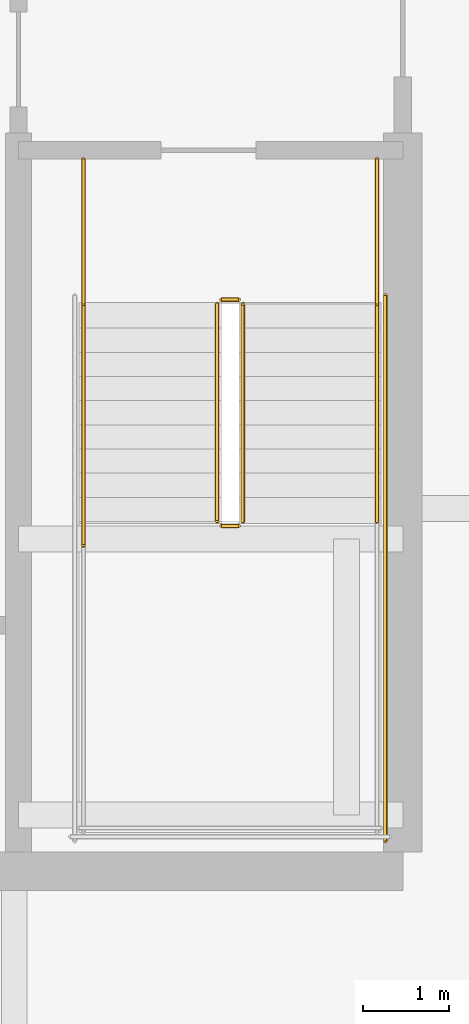
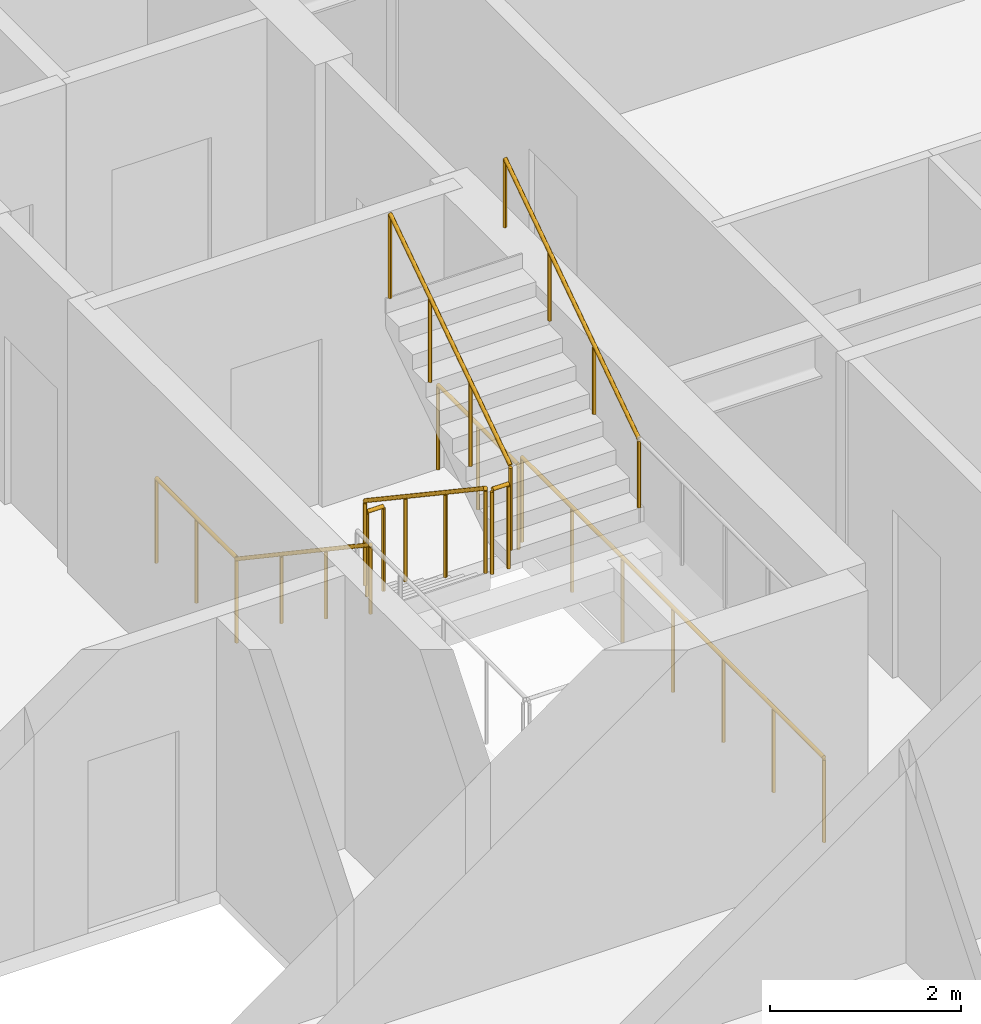
# One storey, part 37 of 40: 9 railings.
"""IFC4 building model written with IfcOpenShell, lengths in metres."""

from ifc_helpers import new_model, si_unit, direction, frame, origin, origin_2d, place, context, subcontext, project, spatial, circle, extrude, material, type_object, element, save


model = new_model("IFC4")

# Units and contexts
model_context = context("Model", 3, precision=1e-05, world=origin(), true_north=direction((0.0, 1.0)))
body_context = subcontext(model_context, "Body", "Model", "MODEL_VIEW")
ifc_project = project(units=[si_unit("LENGTHUNIT", "METRE"), si_unit("AREAUNIT", "SQUARE_METRE"), si_unit("VOLUMEUNIT", "CUBIC_METRE"), si_unit("PLANEANGLEUNIT", "RADIAN"), si_unit("MASSUNIT", "GRAM", prefix="KILO")], contexts=[model_context])

# Site, building, storey
site_placement = place(None, origin())
site = spatial("IfcSite", under=ifc_project, at=site_placement, CompositionType="ELEMENT")
building_placement = place(site_placement, origin())
building = spatial("IfcBuilding", under=site, at=building_placement, Name="Serunith Strait Residences", CompositionType="ELEMENT")
storey_placement = place(building_placement, frame((0.0, 0.0, 90.449951171875)))
storey = spatial("IfcBuildingStorey", under=building, at=storey_placement, Name="L22", CompositionType="ELEMENT", Elevation=90.449951171875)

# Railings
ifc_material = material(Name="Brushed stainless steel 316L", Category="steel")
railing_type_1 = type_object("IfcRailingType", Name="RLG-STAIR-GUARD", PredefinedType="BALUSTRADE", material=ifc_material)
railing_1_placement = place(storey_placement, frame((39.25, 23.3701171875, 0.1875)))
element("IfcRailing", 1, at=railing_1_placement, inside=storey, type_object=railing_type_1, Name="L22 ST-2 stair guard 1", PredefinedType="BALUSTRADE", context=body_context, shape_type="SweptSolid", body=[
    extrude(circle(Radius=0.02392578125, at=origin_2d()), frame((0.0, -0.001708984375, 1.0771484375), z_axis=(0.0, -0.830909170722, 0.55640807867), x_axis=(1.0, 0.0, 0.0)), (0.0, 0.0, 1.0), 3.02880859375),
    extrude(circle(Radius=0.02099609375, at=origin_2d()), origin(), (0.0, 0.0, 1.0), 1.050048828125),
    extrude(circle(Radius=0.02099609375, at=origin_2d()), frame((0.0, -0.840087890625, 0.5625)), (0.0, 0.0, 1.0), 1.050048828125),
    extrude(circle(Radius=0.02099609375, at=origin_2d()), frame((0.0, -1.679931640625, 1.125)), (0.0, 0.0, 1.0), 1.050048828125),
    extrude(circle(Radius=0.02099609375, at=origin_2d()), frame((0.0, -2.52001953125, 1.6875)), (0.0, 0.0, 1.0), 1.050048828125),
])
railing_2_placement = place(storey_placement, frame((39.300048828125, 20.800048828125, 1.875)))
element("IfcRailing", 2, at=railing_2_placement, inside=storey, type_object=railing_type_1, Name="L22 ST-2 stair guard 2", PredefinedType="BALUSTRADE", context=body_context, shape_type="SweptSolid", body=[
    extrude(circle(Radius=0.02392578125, at=origin_2d()), frame((0.001953125, 0.0, 1.076171875), z_axis=(1.0, 0.0, 0.0), x_axis=(0.0, 1.0, 0.0)), (0.0, 0.0, 1.0), 0.196044921875),
    extrude(circle(Radius=0.02099609375, at=origin_2d()), origin(), (0.0, 0.0, 1.0), 1.050048828125),
    extrude(circle(Radius=0.02099609375, at=origin_2d()), frame((0.199951171875, 0.0, 0.0)), (0.0, 0.0, 1.0), 1.050048828125),
])
railing_3_placement = place(storey_placement, frame((39.550048828125, 20.85009765625, 2.0625)))
element("IfcRailing", 3, at=railing_3_placement, inside=storey, type_object=railing_type_1, Name="L22 ST-2 stair guard 6", PredefinedType="BALUSTRADE", context=body_context, shape_type="SweptSolid", body=[
    extrude(circle(Radius=0.02392578125, at=origin_2d()), frame((0.0, 0.001708984375, 1.0771484375), z_axis=(0.0, 0.830909170722, 0.55640807867), x_axis=(-1.0, 0.0, 0.0)), (0.0, 0.0, 1.0), 3.02880859375),
    extrude(circle(Radius=0.02099609375, at=origin_2d()), origin(), (0.0, 0.0, 1.0), 1.050048828125),
    extrude(circle(Radius=0.02099609375, at=origin_2d()), frame((0.0, 0.840087890625, 0.5625)), (0.0, 0.0, 1.0), 1.050048828125),
    extrude(circle(Radius=0.02099609375, at=origin_2d()), frame((0.0, 1.679931640625, 1.125)), (0.0, 0.0, 1.0), 1.050048828125),
    extrude(circle(Radius=0.02099609375, at=origin_2d()), frame((0.0, 2.52001953125, 1.6875)), (0.0, 0.0, 1.0), 1.050048828125),
])
railing_4_placement = place(storey_placement, frame((39.300048828125, 23.419921875, 0.0)))
element("IfcRailing", 4, at=railing_4_placement, inside=storey, type_object=railing_type_1, Name="L22 ST-2 stair guard 7", PredefinedType="BALUSTRADE", context=body_context, shape_type="SweptSolid", body=[
    extrude(circle(Radius=0.02392578125, at=origin_2d()), frame((0.001953125, 0.0, 1.076171875), z_axis=(1.0, 0.0, 0.0), x_axis=(0.0, 1.0, 0.0)), (0.0, 0.0, 1.0), 0.196044921875),
    extrude(circle(Radius=0.02099609375, at=origin_2d()), origin(), (0.0, 0.0, 1.0), 1.050048828125),
    extrude(circle(Radius=0.02099609375, at=origin_2d()), frame((0.199951171875, 0.0, 0.0)), (0.0, 0.0, 1.0), 1.050048828125),
])
for number, where, name in (
    (5, (37.699951171875, 25.050048828125, 0.0), "L22 ST-2 stair guard 8"),
    (6, (41.10009765625, 25.050048828125, 0.0), "L22 ST-2 stair guard 9"),
):
    element("IfcRailing", number, at=place(storey_placement, frame(where)), inside=storey, type_object=railing_type_1, Name=name, PredefinedType="BALUSTRADE", context=body_context, shape_type="SweptSolid", body=[
        extrude(circle(Radius=0.02392578125, at=origin_2d()), frame((0.0, -0.001953125, 1.076171875), z_axis=(0.0, -1.0, 0.0), x_axis=(1.0, 0.0, 0.0)), (0.0, 0.0, 1.0), 1.676025390625),
        extrude(circle(Radius=0.02099609375, at=origin_2d()), origin(), (0.0, 0.0, 1.0), 1.050048828125),
        extrude(circle(Radius=0.02099609375, at=origin_2d()), frame((0.0, -0.83984375, 0.0)), (0.0, 0.0, 1.0), 1.050048828125),
        extrude(circle(Radius=0.02099609375, at=origin_2d()), frame((0.0, -1.679931640625, 0.0)), (0.0, 0.0, 1.0), 1.050048828125),
    ])
railing_5_placement = place(storey_placement, frame((41.199951171875, 23.469970703125, 0.0)))
element("IfcRailing", 7, at=railing_5_placement, inside=storey, type_object=railing_type_1, Name="L22 ST-2 stair guard 11", PredefinedType="BALUSTRADE", context=body_context, shape_type="SweptSolid", body=[
    extrude(circle(Radius=0.02392578125, at=origin_2d()), frame((0.0, -0.001953125, 1.076171875), z_axis=(0.0, -1.0, 0.0), x_axis=(1.0, 0.0, 0.0)), (0.0, 0.0, 1.0), 6.316162109375),
    extrude(circle(Radius=0.02099609375, at=origin_2d()), origin(), (0.0, 0.0, 1.0), 1.050048828125),
    extrude(circle(Radius=0.02099609375, at=origin_2d()), frame((0.0, -1.05322265625, 0.0)), (0.0, 0.0, 1.0), 1.050048828125),
    extrude(circle(Radius=0.02099609375, at=origin_2d()), frame((0.0, -2.106689453125, 0.0)), (0.0, 0.0, 1.0), 1.050048828125),
    extrude(circle(Radius=0.02099609375, at=origin_2d()), frame((0.0, -3.16015625, 0.0)), (0.0, 0.0, 1.0), 1.050048828125),
    extrude(circle(Radius=0.02099609375, at=origin_2d()), frame((0.0, -4.21337890625, 0.0)), (0.0, 0.0, 1.0), 1.050048828125),
    extrude(circle(Radius=0.02099609375, at=origin_2d()), frame((0.0, -5.2666015625, 0.0)), (0.0, 0.0, 1.0), 1.050048828125),
    extrude(circle(Radius=0.02099609375, at=origin_2d()), frame((0.0, -6.320068359375, 0.0)), (0.0, 0.0, 1.0), 1.050048828125),
])
railing_type_2 = type_object("IfcRailingType", Name="RLG-STAIR-HR", PredefinedType="HANDRAIL", material=ifc_material)
railing_6_placement = place(storey_placement, frame((37.699951171875, 23.3701171875, 0.1875)))
element("IfcRailing", 8, at=railing_6_placement, inside=storey, type_object=railing_type_2, Name="L22 ST-2 stair handrail 1", PredefinedType="HANDRAIL", context=body_context, shape_type="SweptSolid", body=[
    extrude(circle(Radius=0.02392578125, at=origin_2d()), frame((0.0, -0.001708984375, 0.876953125), z_axis=(0.0, -0.830208209119, 0.557453432594), x_axis=(1.0, 0.0, 0.0)), (0.0, 0.0, 1.0), 3.36865234375),
    extrude(circle(Radius=0.02099609375, at=origin_2d()), origin(), (0.0, 0.0, 1.0), 0.849853515625),
    extrude(circle(Radius=0.02099609375, at=origin_2d()), frame((0.0, -0.933349609375, 0.626708984375)), (0.0, 0.0, 1.0), 0.849853515625),
    extrude(circle(Radius=0.02099609375, at=origin_2d()), frame((0.0, -1.86669921875, 1.25341796875)), (0.0, 0.0, 1.0), 0.849853515625),
    extrude(circle(Radius=0.02099609375, at=origin_2d()), frame((0.0, -2.800048828125, 1.880126953125)), (0.0, 0.0, 1.0), 0.849853515625),
])
railing_7_placement = place(storey_placement, frame((41.10009765625, 20.85009765625, 2.0625)))
element("IfcRailing", 9, at=railing_7_placement, inside=storey, type_object=railing_type_2, Name="L22 ST-2 stair handrail 2", PredefinedType="HANDRAIL", context=body_context, shape_type="SweptSolid", body=[
    extrude(circle(Radius=0.02392578125, at=origin_2d()), frame((0.0, 0.001708984375, 0.876953125), z_axis=(0.0, 0.830185712471, 0.557486935101), x_axis=(-1.0, 0.0, 0.0)), (0.0, 0.0, 1.0), 3.368408203125),
    extrude(circle(Radius=0.02099609375, at=origin_2d()), origin(), (0.0, 0.0, 1.0), 0.849853515625),
    extrude(circle(Radius=0.02099609375, at=origin_2d()), frame((0.0, 0.933349609375, 0.626708984375)), (0.0, 0.0, 1.0), 0.849853515625),
    extrude(circle(Radius=0.02099609375, at=origin_2d()), frame((0.0, 1.866455078125, 1.25341796875)), (0.0, 0.0, 1.0), 0.849853515625),
    extrude(circle(Radius=0.02099609375, at=origin_2d()), frame((0.0, 2.7998046875, 1.880126953125)), (0.0, 0.0, 1.0), 0.849853515625),
])

save(model, "model.ifc")
